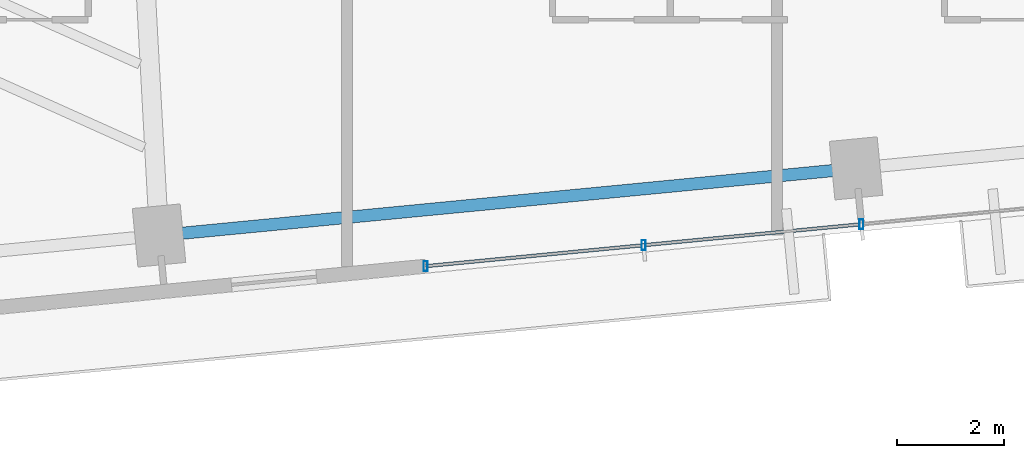
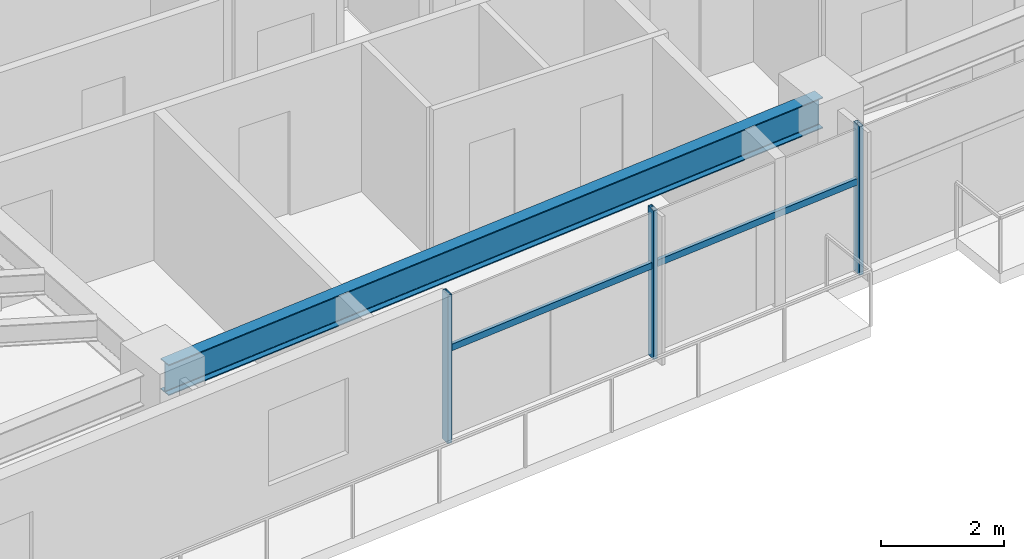
# One storey, part 6 of 25: 5 members, 1 beam, 1 element without a shape of its own.
"""IFC4 building model written with IfcOpenShell, lengths in metres."""

from ifc_helpers import new_model, si_unit, direction, frame, origin, origin_2d, place, context, subcontext, project, spatial, hollow_rectangle, i_section, extrude, source, transform, mapped, material, material_profile, profile_set, type_object, type_shapes, element, aggregate, save


model = new_model("IFC4")

# Units and contexts
model_context = context("Model", 3, precision=1e-05, world=origin(), true_north=direction((0.0, 1.0)))
body_context = subcontext(model_context, "Body", "Model", "MODEL_VIEW")
ifc_project = project(units=[si_unit("LENGTHUNIT", "METRE"), si_unit("AREAUNIT", "SQUARE_METRE"), si_unit("VOLUMEUNIT", "CUBIC_METRE"), si_unit("PLANEANGLEUNIT", "RADIAN"), si_unit("MASSUNIT", "GRAM", prefix="KILO")], contexts=[model_context])

# Site, building, storey
site_placement = place(None, origin())
site = spatial("IfcSite", under=ifc_project, at=site_placement, CompositionType="ELEMENT")
building_placement = place(site_placement, origin())
building = spatial("IfcBuilding", under=site, at=building_placement, Name="Astriad Promenade Condominiums", CompositionType="ELEMENT")
storey_placement = place(building_placement, frame((0.0, 0.0, 103.39990234375)))
storey = spatial("IfcBuildingStorey", under=building, at=storey_placement, Name="L29", CompositionType="ELEMENT", Elevation=103.39990234375)

# Beam
ifc_material_1 = material(Name="Steel ASTM A992 Grade 50", Category="steel")
ifc_material_profile_1 = material_profile(ifc_material_1, i_section(OverallWidth=0.22900390625, OverallDepth=0.612060546875, WebThickness=0.011962890625, FlangeThickness=0.01953125, FilletRadius=0.017822265625, at=origin_2d()), Name="W24X84")
ifc_profile_set_1 = profile_set([ifc_material_profile_1], Name="Steel ASTM A992 Grade 50")
beam_type = type_object("IfcBeamType", Name="STEEL SPANDREL BEAM W24X84", PredefinedType="SPANDREL", material=ifc_profile_set_1)
shared_shape_1 = source(origin(), body_context, "Body", "SweptSolid", [
    extrude(i_section(OverallWidth=0.22900390625, OverallDepth=0.612060546875, WebThickness=0.011962890625, FlangeThickness=0.01953125, FilletRadius=0.017822265625, at=origin_2d()), origin(), (0.0, 0.0, 1.0), 13.020263671875),
])
type_shapes(beam_type, [shared_shape_1])
beam_placement = place(storey_placement, frame((27.04541015625, 6.268798828125, 2.634033203125), z_axis=(0.995395311238, 0.095854965264, 0.0), x_axis=(-0.095854965264, 0.995395311238, 0.0)))
element("IfcBeam", 1, at=beam_placement, inside=storey, type_object=beam_type, Name="Perimeter Spandrel Beam SP-S2-L29", PredefinedType="SPANDREL", context=body_context, shape_type="MappedRepresentation", body=[
    mapped(shared_shape_1, transform((0.0, 0.0, 0.0), scale=1.0)),
])

# Curtain wall, members
ifc_material_2 = material(Name="Anodised aluminium Black Dark Glass Unitised", Category="aluminium")
curtain_wall_type = type_object("IfcCurtainWallType", Name="CW-B2-DARK", PredefinedType="USERDEFINED", material=ifc_material_2)
curtain_wall_placement = place(storey_placement, origin())
curtain_wall = element("IfcCurtainWall", 2, at=curtain_wall_placement, inside=storey, type_object=curtain_wall_type, Name="CW-L29-S", ObjectType="UNITISED_CURTAIN_WALL", PredefinedType="USERDEFINED")
ifc_material_3 = material(Name="Anodised aluminium 6063-T6 Black", Category="aluminium")
ifc_material_profile_2 = material_profile(ifc_material_3, hollow_rectangle(XDim=0.074951171875, YDim=0.18505859375, WallThickness=0.00439453125, at=origin_2d()), Name="ALU-MUL-75X185")
ifc_profile_set_2 = profile_set([ifc_material_profile_2], Name="Anodised aluminium 6063-T6 Black")
member_type_1 = type_object("IfcMemberType", Name="MUL-ALU-MUL-75X185", PredefinedType="MULLION", material=ifc_profile_set_2)
shared_shape_2 = source(origin(), body_context, "Body", "SweptSolid", [
    extrude(hollow_rectangle(XDim=0.074951171875, YDim=0.18505859375, WallThickness=0.00439453125, at=origin_2d()), origin(), (0.0, 0.0, 1.0), 2.940185546875),
])
type_shapes(member_type_1, [shared_shape_2])
member_1_placement = place(storey_placement, frame((40.14599609375, 6.475341796875, 0.0), z_axis=(0.0, 0.0, 1.0), x_axis=(1.0, 0.0, 0.0)))
member_1 = element("IfcMember", 3, at=member_1_placement, type_object=member_type_1, Name="CW-L29-S-MUL-02", PredefinedType="MULLION", context=body_context, shape_type="MappedRepresentation", body=[
    mapped(shared_shape_2, transform((0.0, 0.0, 0.0), scale=1.0)),
])
member_2_placement = place(storey_placement, frame((36.06982421875, 6.0830078125, 0.0), z_axis=(0.0, 0.0, 1.0), x_axis=(1.0, 0.0, 0.0)))
member_2 = element("IfcMember", 4, at=member_2_placement, type_object=member_type_1, Name="CW-L29-S-MUL-03", PredefinedType="MULLION", context=body_context, shape_type="MappedRepresentation", body=[
    mapped(shared_shape_2, transform((0.0, 0.0, 0.0), scale=1.0)),
])
member_3_placement = place(storey_placement, frame((31.99365234375, 5.6904296875, 0.0), z_axis=(0.0, 0.0, 1.0), x_axis=(1.0, 0.0, 0.0)))
member_3 = element("IfcMember", 5, at=member_3_placement, type_object=member_type_1, Name="CW-L29-S-MUL-04", PredefinedType="MULLION", context=body_context, shape_type="MappedRepresentation", body=[
    mapped(shared_shape_2, transform((0.0, 0.0, 0.0), scale=1.0)),
])
ifc_material_profile_3 = material_profile(ifc_material_3, hollow_rectangle(XDim=0.06494140625, YDim=0.1298828125, WallThickness=0.00390625, at=origin_2d()), Name="ALU-TRN-65X130")
ifc_profile_set_3 = profile_set([ifc_material_profile_3], Name="Anodised aluminium 6063-T6 Black")
member_type_2 = type_object("IfcMemberType", Name="TRN-ALU-TRN-65X130", PredefinedType="USERDEFINED", material=ifc_profile_set_3)
shared_shape_3 = source(origin(), body_context, "Body", "SweptSolid", [
    extrude(hollow_rectangle(XDim=0.06494140625, YDim=0.1298828125, WallThickness=0.00390625, at=origin_2d()), origin(), (0.0, 0.0, 1.0), 4.094970703125),
])
type_shapes(member_type_2, [shared_shape_3])
member_4_placement = place(storey_placement, frame((40.14599609375, 6.475341796875, 1.822998046875), z_axis=(-0.995399849002, -0.095807831657, 0.0), x_axis=(0.095807831657, -0.995399849002, 0.0)))
member_4 = element("IfcMember", 6, at=member_4_placement, type_object=member_type_2, Name="CW-L29-S-TRN-02-0", ObjectType="TRANSOM", PredefinedType="USERDEFINED", context=body_context, shape_type="MappedRepresentation", body=[
    mapped(shared_shape_3, transform((0.0, 0.0, 0.0), scale=1.0)),
])
member_5_placement = place(storey_placement, frame((36.06982421875, 6.0830078125, 1.822998046875), z_axis=(-0.995394161585, -0.09586690296, 0.0), x_axis=(0.09586690296, -0.995394161585, 0.0)))
member_5 = element("IfcMember", 7, at=member_5_placement, type_object=member_type_2, Name="CW-L29-S-TRN-03-0", ObjectType="TRANSOM", PredefinedType="USERDEFINED", context=body_context, shape_type="MappedRepresentation", body=[
    mapped(shared_shape_3, transform((0.0, 0.0, 0.0), scale=1.0)),
])
aggregate(curtain_wall, [member_1, member_2, member_3, member_4, member_5])

save(model, "model.ifc")
